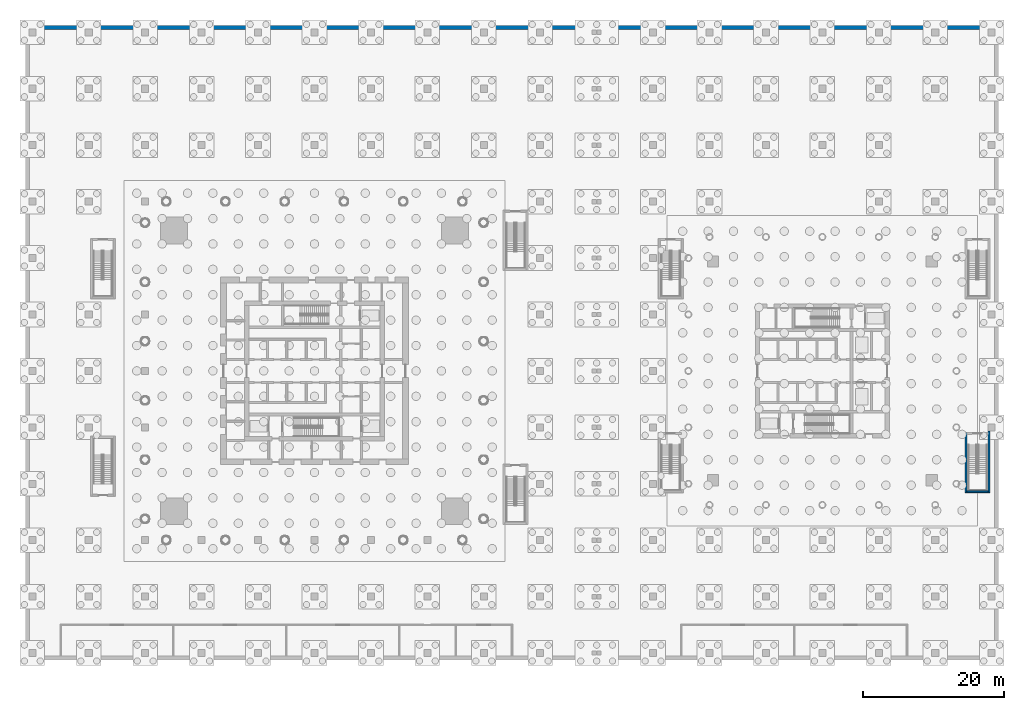
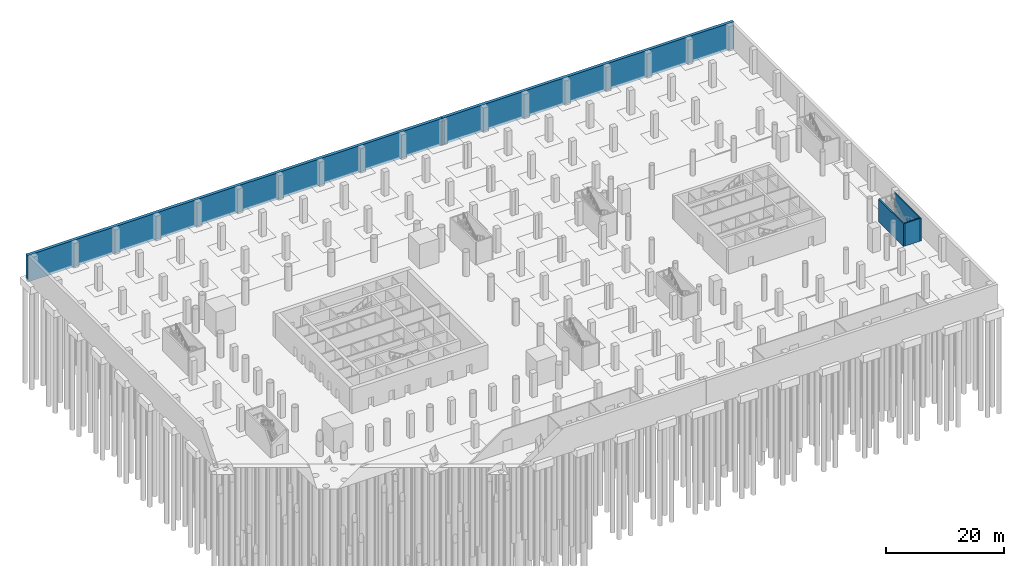
# One storey, part 17 of 24: 5 walls.
"""IFC4 building model written with IfcOpenShell, lengths in metres."""

from ifc_helpers import new_model, si_unit, direction, frame, frame_2d, origin, place, context, subcontext, project, spatial, rectangle, extrude, material, layer, layer_set, type_object, element, save


model = new_model("IFC4")

# Units and contexts
model_context = context("Model", 3, precision=1e-05, world=origin(), true_north=direction((0.0, 1.0)))
body_context = subcontext(model_context, "Body", "Model", "MODEL_VIEW")
ifc_project = project(units=[si_unit("LENGTHUNIT", "METRE"), si_unit("AREAUNIT", "SQUARE_METRE"), si_unit("VOLUMEUNIT", "CUBIC_METRE"), si_unit("PLANEANGLEUNIT", "RADIAN"), si_unit("MASSUNIT", "GRAM", prefix="KILO")], contexts=[model_context])

# Site, building, storey
site_placement = place(None, origin())
site = spatial("IfcSite", under=ifc_project, at=site_placement, CompositionType="ELEMENT")
building_placement = place(site_placement, origin())
building = spatial("IfcBuilding", under=site, at=building_placement, Name="Ostroluk Exchange", CompositionType="ELEMENT")
storey_placement = place(building_placement, frame((0.0, 0.0, -10.0)))
storey = spatial("IfcBuildingStorey", under=building, at=storey_placement, Name="B2", CompositionType="ELEMENT", Elevation=-10.0)

# Walls
ifc_material_1 = material(Name="Concrete C35/45", Category="concrete")
ifc_layer_1 = layer(ifc_material_1, 0.60009765625)
ifc_layer_set_1 = layer_set([ifc_layer_1], Name="Basement retaining wall 600")
wall_type_1 = type_object("IfcWallType", Name="Basement retaining wall 600", PredefinedType="USERDEFINED", material=ifc_layer_set_1)
wall_1_placement = place(storey_placement, frame((4.0, 94.699951171875, -0.5), z_axis=(0.0, 0.0, 1.0), x_axis=(1.0, 0.0, 0.0)))
element("IfcWall", 1, at=wall_1_placement, inside=storey, type_object=wall_type_1, Name="Retaining wall B2 NW", ObjectType="RETAINING WALL", PredefinedType="USERDEFINED", context=body_context, shape_type="SweptSolid", body=[
    extrude(rectangle(XDim=80.97509765625, YDim=0.60009765625, at=frame_2d((40.487548828125, 0.0))), origin(), (0.0, 0.0, 1.0), 5.5),
])
wall_2_placement = place(storey_placement, frame((85.02490234375, 94.699951171875, -0.5), z_axis=(0.0, 0.0, 1.0), x_axis=(1.0, 0.0, 0.0)))
element("IfcWall", 2, at=wall_2_placement, inside=storey, type_object=wall_type_1, Name="Retaining wall B2 NE", ObjectType="RETAINING WALL", PredefinedType="USERDEFINED", context=body_context, shape_type="SweptSolid", body=[
    extrude(rectangle(XDim=56.97509765625, YDim=0.60009765625, at=frame_2d((28.487548828125, 0.0))), origin(), (0.0, 0.0, 1.0), 5.5),
])
ifc_material_2 = material(Name="Concrete blockwork", Category="masonry")
ifc_layer_2 = layer(ifc_material_2, 0.25)
ifc_layer_set_2 = layer_set([ifc_layer_2], Name="Blockwork stair enclosure wall 250")
wall_type_2 = type_object("IfcWallType", Name="Blockwork stair enclosure wall 250", PredefinedType="SOLIDWALL", material=ifc_layer_set_2)
wall_3_placement = place(storey_placement, frame((137.375, 28.75, 0.0), z_axis=(0.0, 0.0, 1.0), x_axis=(0.0, 1.0, 0.0)))
element("IfcWall", 3, at=wall_3_placement, inside=storey, type_object=wall_type_2, Name="Stair PS7 enclosure wall", PredefinedType="SOLIDWALL", context=body_context, shape_type="SweptSolid", body=[
    extrude(rectangle(XDim=8.5, YDim=0.25, at=frame_2d((4.25, 0.0))), origin(), (0.0, 0.0, 1.0), 4.699951171875),
])
wall_4_placement = place(storey_placement, frame((140.625, 28.75, 0.0), z_axis=(0.0, 0.0, 1.0), x_axis=(0.0, 1.0, 0.0)))
element("IfcWall", 4, at=wall_4_placement, inside=storey, type_object=wall_type_2, Name="Stair PS7 enclosure wall", PredefinedType="SOLIDWALL", context=body_context, shape_type="SweptSolid", body=[
    extrude(rectangle(XDim=8.75, YDim=0.25, at=frame_2d((4.375, 0.0))), origin(), (0.0, 0.0, 1.0), 4.699951171875),
])
wall_5_placement = place(storey_placement, frame((137.5, 28.875, 0.0), z_axis=(0.0, 0.0, 1.0), x_axis=(1.0, 0.0, 0.0)))
element("IfcWall", 5, at=wall_5_placement, inside=storey, type_object=wall_type_2, Name="Stair PS7 enclosure wall", PredefinedType="SOLIDWALL", context=body_context, shape_type="SweptSolid", body=[
    extrude(rectangle(XDim=3.0, YDim=0.25, at=frame_2d((1.5, 0.0))), origin(), (0.0, 0.0, 1.0), 4.699951171875),
])

save(model, "model.ifc")
